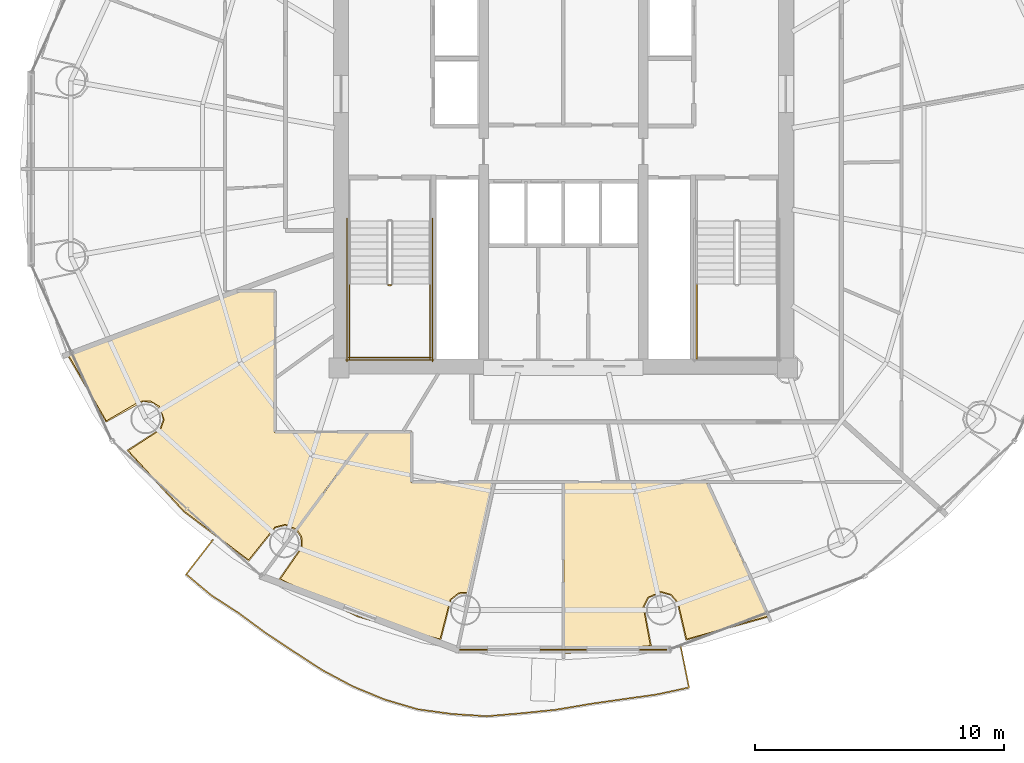
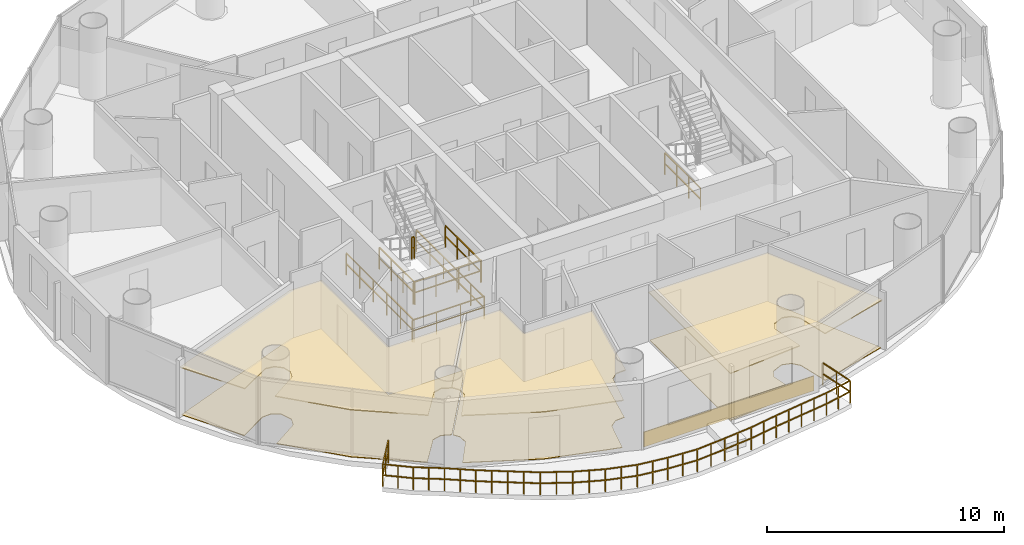
# One storey, part 24 of 26: 9 railings, 7 coverings.
"""IFC4 building model written with IfcOpenShell, lengths in metres."""

from ifc_helpers import new_model, si_unit, direction, frame, origin, origin_2d, place, context, subcontext, project, spatial, polyline, rectangle, outline, extrude, source, transform, mapped, material, layer, layer_set, type_object, element, save


model = new_model("IFC4")

# Units and contexts
model_context = context("Model", 3, precision=1e-05, world=origin(), true_north=direction((-0.2419218956, 0.970295726276)))
body_context = subcontext(model_context, "Body", "Model", "MODEL_VIEW")
ifc_project = project(units=[si_unit("LENGTHUNIT", "METRE"), si_unit("AREAUNIT", "SQUARE_METRE"), si_unit("VOLUMEUNIT", "CUBIC_METRE"), si_unit("PLANEANGLEUNIT", "RADIAN"), si_unit("MASSUNIT", "GRAM", prefix="KILO")], contexts=[model_context])

# Site, building, storey
site_placement = place(None, origin())
site = spatial("IfcSite", under=ifc_project, at=site_placement, CompositionType="ELEMENT")
building_placement = place(site_placement, origin())
building = spatial("IfcBuilding", under=site, at=building_placement, Name="Cobrevalo Terracotta Tower", CompositionType="ELEMENT")
storey_placement = place(building_placement, frame((0.0, 0.0, 206.0)))
storey = spatial("IfcBuildingStorey", under=building, at=storey_placement, Name="L54", CompositionType="ELEMENT", Elevation=206.0)

# Railing
ifc_material_1 = material(Name="Laminated structural glass and stainless steel", Category="steel")
railing_type_1 = type_object("IfcRailingType", Name="Balcony lobe structural glass & terracotta-cap balustrade 1180 mm", PredefinedType="BALUSTRADE", material=ifc_material_1)
railing_1_placement = place(storey_placement, frame((23.93603515625, 11.913818359375, 0.0)))
element("IfcRailing", 1, at=railing_1_placement, inside=storey, type_object=railing_type_1, Name="L54 spiralling balcony lobe balustrade 2", PredefinedType="BALUSTRADE", context=body_context, shape_type="SweptSolid", body=[
    extrude(rectangle(XDim=0.048095703125, YDim=0.048095703125, at=origin_2d()), frame((0.0, 0.0, 1.15576171875), z_axis=(-0.611161205852, -0.791506146825, 0.0), x_axis=(0.791506146825, -0.611161205852, 0.0)), (0.0, 0.0, 1.0), 1.747802734375),
    extrude(rectangle(XDim=0.048095703125, YDim=0.048095703125, at=origin_2d()), frame((0.0, 0.0, 0.58984375), z_axis=(-0.611161205852, -0.791506146825, 0.0), x_axis=(0.791506146825, -0.611161205852, 0.0)), (0.0, 0.0, 1.0), 1.747802734375),
    extrude(rectangle(XDim=0.048095703125, YDim=0.048095703125, at=origin_2d()), frame((-1.068115234375, -1.38330078125, 1.15576171875), z_axis=(0.766333984719, -0.64244238953, 0.0), x_axis=(0.64244238953, 0.766333984719, 0.0)), (0.0, 0.0, 1.0), 1.306396484375),
    extrude(rectangle(XDim=0.048095703125, YDim=0.048095703125, at=origin_2d()), frame((-1.068115234375, -1.38330078125, 0.58984375), z_axis=(0.766333984719, -0.64244238953, 0.0), x_axis=(0.64244238953, 0.766333984719, 0.0)), (0.0, 0.0, 1.0), 1.306396484375),
    extrude(rectangle(XDim=0.048095703125, YDim=0.048095703125, at=origin_2d()), frame((-0.06689453125, -2.22265625, 1.15576171875), z_axis=(0.839182701666, -0.543849605336, 0.0), x_axis=(0.543849605336, 0.839182701666, 0.0)), (0.0, 0.0, 1.0), 1.3193359375),
    extrude(rectangle(XDim=0.048095703125, YDim=0.048095703125, at=origin_2d()), frame((-0.06689453125, -2.22265625, 0.58984375), z_axis=(0.839182701666, -0.543849605336, 0.0), x_axis=(0.543849605336, 0.839182701666, 0.0)), (0.0, 0.0, 1.0), 1.3193359375),
    extrude(rectangle(XDim=0.048095703125, YDim=0.048095703125, at=origin_2d()), frame((1.040283203125, -2.940185546875, 1.15576171875), z_axis=(0.804659544021, -0.59373648887, 0.0), x_axis=(0.59373648887, 0.804659544021, 0.0)), (0.0, 0.0, 1.0), 1.332275390625),
    extrude(rectangle(XDim=0.048095703125, YDim=0.048095703125, at=origin_2d()), frame((1.040283203125, -2.940185546875, 0.58984375), z_axis=(0.804659544021, -0.59373648887, 0.0), x_axis=(0.59373648887, 0.804659544021, 0.0)), (0.0, 0.0, 1.0), 1.332275390625),
    extrude(rectangle(XDim=0.048095703125, YDim=0.048095703125, at=origin_2d()), frame((2.1123046875, -3.731201171875, 1.15576171875), z_axis=(0.833687442822, -0.552236586692, 0.0), x_axis=(0.552236586692, 0.833687442822, 0.0)), (0.0, 0.0, 1.0), 1.3505859375),
    extrude(rectangle(XDim=0.048095703125, YDim=0.048095703125, at=origin_2d()), frame((2.1123046875, -3.731201171875, 0.58984375), z_axis=(0.833687442822, -0.552236586692, 0.0), x_axis=(0.552236586692, 0.833687442822, 0.0)), (0.0, 0.0, 1.0), 1.3505859375),
    extrude(rectangle(XDim=0.048095703125, YDim=0.048095703125, at=origin_2d()), frame((3.23828125, -4.47705078125, 1.15576171875), z_axis=(0.838338048768, -0.54515072777, 0.0), x_axis=(0.54515072777, 0.838338048768, 0.0)), (0.0, 0.0, 1.0), 1.3740234375),
    extrude(rectangle(XDim=0.048095703125, YDim=0.048095703125, at=origin_2d()), frame((3.23828125, -4.47705078125, 0.58984375), z_axis=(0.838338048768, -0.54515072777, 0.0), x_axis=(0.54515072777, 0.838338048768, 0.0)), (0.0, 0.0, 1.0), 1.3740234375),
    extrude(rectangle(XDim=0.048095703125, YDim=0.048095703125, at=origin_2d()), frame((4.39013671875, -5.22607421875, 1.15576171875), z_axis=(0.881970946205, -0.471303776826, 0.0), x_axis=(0.471303776826, 0.881970946205, 0.0)), (0.0, 0.0, 1.0), 1.381103515625),
    extrude(rectangle(XDim=0.048095703125, YDim=0.048095703125, at=origin_2d()), frame((4.39013671875, -5.22607421875, 0.58984375), z_axis=(0.881970946205, -0.471303776826, 0.0), x_axis=(0.471303776826, 0.881970946205, 0.0)), (0.0, 0.0, 1.0), 1.381103515625),
    extrude(rectangle(XDim=0.048095703125, YDim=0.048095703125, at=origin_2d()), frame((5.608154296875, -5.876953125, 1.15576171875), z_axis=(0.924309962078, -0.381642626031, 0.0), x_axis=(0.381642626031, 0.924309962078, 0.0)), (0.0, 0.0, 1.0), 1.388916015625),
    extrude(rectangle(XDim=0.048095703125, YDim=0.048095703125, at=origin_2d()), frame((5.608154296875, -5.876953125, 0.58984375), z_axis=(0.924309962078, -0.381642626031, 0.0), x_axis=(0.381642626031, 0.924309962078, 0.0)), (0.0, 0.0, 1.0), 1.388916015625),
    extrude(rectangle(XDim=0.048095703125, YDim=0.048095703125, at=origin_2d()), frame((6.891845703125, -6.406982421875, 1.15576171875), z_axis=(0.959009017041, -0.283375555109, 0.0), x_axis=(0.283375555109, 0.959009017041, 0.0)), (0.0, 0.0, 1.0), 1.387939453125),
    extrude(rectangle(XDim=0.048095703125, YDim=0.048095703125, at=origin_2d()), frame((6.891845703125, -6.406982421875, 0.58984375), z_axis=(0.959009017041, -0.283375555109, 0.0), x_axis=(0.283375555109, 0.959009017041, 0.0)), (0.0, 0.0, 1.0), 1.387939453125),
    extrude(rectangle(XDim=0.048095703125, YDim=0.048095703125, at=origin_2d()), frame((8.222900390625, -6.80029296875, 1.15576171875), z_axis=(0.990738368651, -0.135784700472, 0.0), x_axis=(0.135784700472, 0.990738368651, 0.0)), (0.0, 0.0, 1.0), 1.395263671875),
    extrude(rectangle(XDim=0.048095703125, YDim=0.048095703125, at=origin_2d()), frame((8.222900390625, -6.80029296875, 0.58984375), z_axis=(0.990738368651, -0.135784700472, 0.0), x_axis=(0.135784700472, 0.990738368651, 0.0)), (0.0, 0.0, 1.0), 1.395263671875),
    extrude(rectangle(XDim=0.048095703125, YDim=0.048095703125, at=origin_2d()), frame((9.605224609375, -6.98974609375, 1.15576171875), z_axis=(0.998000310049, -0.063209027378, 0.0), x_axis=(0.063209027378, 0.998000310049, 0.0)), (0.0, 0.0, 1.0), 1.390380859375),
    extrude(rectangle(XDim=0.048095703125, YDim=0.048095703125, at=origin_2d()), frame((9.605224609375, -6.98974609375, 0.58984375), z_axis=(0.998000310049, -0.063209027378, 0.0), x_axis=(0.063209027378, 0.998000310049, 0.0)), (0.0, 0.0, 1.0), 1.390380859375),
    extrude(rectangle(XDim=0.048095703125, YDim=0.048095703125, at=origin_2d()), frame((10.992919921875, -7.07763671875, 1.15576171875), z_axis=(0.996425820583, 0.084472386468, 0.0), x_axis=(-0.084472386468, 0.996425820583, 0.0)), (0.0, 0.0, 1.0), 1.40185546875),
    extrude(rectangle(XDim=0.048095703125, YDim=0.048095703125, at=origin_2d()), frame((10.992919921875, -7.07763671875, 0.58984375), z_axis=(0.996425820583, 0.084472386468, 0.0), x_axis=(-0.084472386468, 0.996425820583, 0.0)), (0.0, 0.0, 1.0), 1.40185546875),
    extrude(rectangle(XDim=0.048095703125, YDim=0.048095703125, at=origin_2d()), frame((12.3896484375, -6.959228515625, 1.15576171875), z_axis=(0.994835961359, 0.10149586192, 0.0), x_axis=(-0.10149586192, 0.994835961359, 0.0)), (0.0, 0.0, 1.0), 1.383056640625),
    extrude(rectangle(XDim=0.048095703125, YDim=0.048095703125, at=origin_2d()), frame((12.3896484375, -6.959228515625, 0.58984375), z_axis=(0.994835961359, 0.10149586192, 0.0), x_axis=(-0.10149586192, 0.994835961359, 0.0)), (0.0, 0.0, 1.0), 1.383056640625),
    extrude(rectangle(XDim=0.048095703125, YDim=0.048095703125, at=origin_2d()), frame((13.765625, -6.81884765625, 1.15576171875), z_axis=(0.985855553018, 0.16759722129, 0.0), x_axis=(-0.16759722129, 0.985855553018, 0.0)), (0.0, 0.0, 1.0), 1.373779296875),
    extrude(rectangle(XDim=0.048095703125, YDim=0.048095703125, at=origin_2d()), frame((13.765625, -6.81884765625, 0.58984375), z_axis=(0.985855553018, 0.16759722129, 0.0), x_axis=(-0.16759722129, 0.985855553018, 0.0)), (0.0, 0.0, 1.0), 1.373779296875),
    extrude(rectangle(XDim=0.048095703125, YDim=0.048095703125, at=origin_2d()), frame((15.119873046875, -6.588623046875, 1.15576171875), z_axis=(0.989772202625, 0.142656885256, 0.0), x_axis=(-0.142656885256, 0.989772202625, 0.0)), (0.0, 0.0, 1.0), 1.35546875),
    extrude(rectangle(XDim=0.048095703125, YDim=0.048095703125, at=origin_2d()), frame((15.119873046875, -6.588623046875, 0.58984375), z_axis=(0.989772202625, 0.142656885256, 0.0), x_axis=(-0.142656885256, 0.989772202625, 0.0)), (0.0, 0.0, 1.0), 1.35546875),
    extrude(rectangle(XDim=0.048095703125, YDim=0.048095703125, at=origin_2d()), frame((16.46142578125, -6.395263671875, 1.15576171875), z_axis=(0.990323780612, 0.138776113057, 0.0), x_axis=(-0.138776113057, 0.990323780612, 0.0)), (0.0, 0.0, 1.0), 1.343994140625),
    extrude(rectangle(XDim=0.048095703125, YDim=0.048095703125, at=origin_2d()), frame((16.46142578125, -6.395263671875, 0.58984375), z_axis=(0.990323780612, 0.138776113057, 0.0), x_axis=(-0.138776113057, 0.990323780612, 0.0)), (0.0, 0.0, 1.0), 1.343994140625),
    extrude(rectangle(XDim=0.048095703125, YDim=0.048095703125, at=origin_2d()), frame((17.79248046875, -6.208740234375, 1.15576171875), z_axis=(0.97769326557, 0.210037802453, 0.0), x_axis=(-0.210037802453, 0.97769326557, 0.0)), (0.0, 0.0, 1.0), 1.34375),
    extrude(rectangle(XDim=0.048095703125, YDim=0.048095703125, at=origin_2d()), frame((17.79248046875, -6.208740234375, 0.58984375), z_axis=(0.97769326557, 0.210037802453, 0.0), x_axis=(-0.210037802453, 0.97769326557, 0.0)), (0.0, 0.0, 1.0), 1.34375),
    extrude(rectangle(XDim=0.048095703125, YDim=0.048095703125, at=origin_2d()), frame((19.106201171875, -5.926513671875, 1.15576171875), z_axis=(-0.197141400655, 0.980375065038, 0.0), x_axis=(-0.980375065038, -0.197141400655, 0.0)), (0.0, 0.0, 1.0), 1.739990234375),
    extrude(rectangle(XDim=0.048095703125, YDim=0.048095703125, at=origin_2d()), frame((19.106201171875, -5.926513671875, 0.58984375), z_axis=(-0.197141400655, 0.980375065038, 0.0), x_axis=(-0.980375065038, -0.197141400655, 0.0)), (0.0, 0.0, 1.0), 1.739990234375),
    extrude(rectangle(XDim=0.0419921875, YDim=0.0419921875, at=origin_2d()), origin(), (0.0, 0.0, 1.0), 1.1318359375),
    extrude(rectangle(XDim=0.0419921875, YDim=0.0419921875, at=origin_2d()), frame((-0.5341796875, -0.691650390625, 0.0)), (0.0, 0.0, 1.0), 1.1318359375),
    extrude(rectangle(XDim=0.0419921875, YDim=0.0419921875, at=origin_2d()), frame((-1.068115234375, -1.38330078125, 0.0)), (0.0, 0.0, 1.0), 1.1318359375),
    extrude(rectangle(XDim=0.0419921875, YDim=0.0419921875, at=origin_2d()), frame((-0.5673828125, -1.802978515625, 0.0)), (0.0, 0.0, 1.0), 1.1318359375),
    extrude(rectangle(XDim=0.0419921875, YDim=0.0419921875, at=origin_2d()), frame((-0.06689453125, -2.22265625, 0.0)), (0.0, 0.0, 1.0), 1.1318359375),
    extrude(rectangle(XDim=0.0419921875, YDim=0.0419921875, at=origin_2d()), frame((0.48681640625, -2.58154296875, 0.0)), (0.0, 0.0, 1.0), 1.1318359375),
    extrude(rectangle(XDim=0.0419921875, YDim=0.0419921875, at=origin_2d()), frame((1.040283203125, -2.940185546875, 0.0)), (0.0, 0.0, 1.0), 1.1318359375),
    extrude(rectangle(XDim=0.0419921875, YDim=0.0419921875, at=origin_2d()), frame((1.576171875, -3.335693359375, 0.0)), (0.0, 0.0, 1.0), 1.1318359375),
    extrude(rectangle(XDim=0.0419921875, YDim=0.0419921875, at=origin_2d()), frame((2.1123046875, -3.731201171875, 0.0)), (0.0, 0.0, 1.0), 1.1318359375),
    extrude(rectangle(XDim=0.0419921875, YDim=0.0419921875, at=origin_2d()), frame((2.67529296875, -4.10400390625, 0.0)), (0.0, 0.0, 1.0), 1.1318359375),
    extrude(rectangle(XDim=0.0419921875, YDim=0.0419921875, at=origin_2d()), frame((3.23828125, -4.47705078125, 0.0)), (0.0, 0.0, 1.0), 1.1318359375),
    extrude(rectangle(XDim=0.0419921875, YDim=0.0419921875, at=origin_2d()), frame((3.814208984375, -4.8515625, 0.0)), (0.0, 0.0, 1.0), 1.1318359375),
    extrude(rectangle(XDim=0.0419921875, YDim=0.0419921875, at=origin_2d()), frame((4.39013671875, -5.22607421875, 0.0)), (0.0, 0.0, 1.0), 1.1318359375),
    extrude(rectangle(XDim=0.0419921875, YDim=0.0419921875, at=origin_2d()), frame((4.9990234375, -5.551513671875, 0.0)), (0.0, 0.0, 1.0), 1.1318359375),
    extrude(rectangle(XDim=0.0419921875, YDim=0.0419921875, at=origin_2d()), frame((5.608154296875, -5.876953125, 0.0)), (0.0, 0.0, 1.0), 1.1318359375),
    extrude(rectangle(XDim=0.0419921875, YDim=0.0419921875, at=origin_2d()), frame((6.25, -6.14208984375, 0.0)), (0.0, 0.0, 1.0), 1.1318359375),
    extrude(rectangle(XDim=0.0419921875, YDim=0.0419921875, at=origin_2d()), frame((6.891845703125, -6.406982421875, 0.0)), (0.0, 0.0, 1.0), 1.1318359375),
    extrude(rectangle(XDim=0.0419921875, YDim=0.0419921875, at=origin_2d()), frame((7.557373046875, -6.603515625, 0.0)), (0.0, 0.0, 1.0), 1.1318359375),
    extrude(rectangle(XDim=0.0419921875, YDim=0.0419921875, at=origin_2d()), frame((8.222900390625, -6.80029296875, 0.0)), (0.0, 0.0, 1.0), 1.1318359375),
    extrude(rectangle(XDim=0.0419921875, YDim=0.0419921875, at=origin_2d()), frame((8.9140625, -6.89501953125, 0.0)), (0.0, 0.0, 1.0), 1.1318359375),
    extrude(rectangle(XDim=0.0419921875, YDim=0.0419921875, at=origin_2d()), frame((9.605224609375, -6.98974609375, 0.0)), (0.0, 0.0, 1.0), 1.1318359375),
    extrude(rectangle(XDim=0.0419921875, YDim=0.0419921875, at=origin_2d()), frame((10.299072265625, -7.03369140625, 0.0)), (0.0, 0.0, 1.0), 1.1318359375),
    extrude(rectangle(XDim=0.0419921875, YDim=0.0419921875, at=origin_2d()), frame((10.992919921875, -7.07763671875, 0.0)), (0.0, 0.0, 1.0), 1.1318359375),
    extrude(rectangle(XDim=0.0419921875, YDim=0.0419921875, at=origin_2d()), frame((11.69140625, -7.0185546875, 0.0)), (0.0, 0.0, 1.0), 1.1318359375),
    extrude(rectangle(XDim=0.0419921875, YDim=0.0419921875, at=origin_2d()), frame((12.3896484375, -6.959228515625, 0.0)), (0.0, 0.0, 1.0), 1.1318359375),
    extrude(rectangle(XDim=0.0419921875, YDim=0.0419921875, at=origin_2d()), frame((13.07763671875, -6.88916015625, 0.0)), (0.0, 0.0, 1.0), 1.1318359375),
    extrude(rectangle(XDim=0.0419921875, YDim=0.0419921875, at=origin_2d()), frame((13.765625, -6.81884765625, 0.0)), (0.0, 0.0, 1.0), 1.1318359375),
    extrude(rectangle(XDim=0.0419921875, YDim=0.0419921875, at=origin_2d()), frame((14.44287109375, -6.70361328125, 0.0)), (0.0, 0.0, 1.0), 1.1318359375),
    extrude(rectangle(XDim=0.0419921875, YDim=0.0419921875, at=origin_2d()), frame((15.119873046875, -6.588623046875, 0.0)), (0.0, 0.0, 1.0), 1.1318359375),
    extrude(rectangle(XDim=0.0419921875, YDim=0.0419921875, at=origin_2d()), frame((15.79052734375, -6.491943359375, 0.0)), (0.0, 0.0, 1.0), 1.1318359375),
    extrude(rectangle(XDim=0.0419921875, YDim=0.0419921875, at=origin_2d()), frame((16.46142578125, -6.395263671875, 0.0)), (0.0, 0.0, 1.0), 1.1318359375),
    extrude(rectangle(XDim=0.0419921875, YDim=0.0419921875, at=origin_2d()), frame((17.126953125, -6.302001953125, 0.0)), (0.0, 0.0, 1.0), 1.1318359375),
    extrude(rectangle(XDim=0.0419921875, YDim=0.0419921875, at=origin_2d()), frame((17.79248046875, -6.208740234375, 0.0)), (0.0, 0.0, 1.0), 1.1318359375),
    extrude(rectangle(XDim=0.0419921875, YDim=0.0419921875, at=origin_2d()), frame((18.44921875, -6.067626953125, 0.0)), (0.0, 0.0, 1.0), 1.1318359375),
    extrude(rectangle(XDim=0.0419921875, YDim=0.0419921875, at=origin_2d()), frame((19.106201171875, -5.926513671875, 0.0)), (0.0, 0.0, 1.0), 1.1318359375),
    extrude(rectangle(XDim=0.0419921875, YDim=0.0419921875, at=origin_2d()), frame((18.9345703125, -5.07373046875, 0.0)), (0.0, 0.0, 1.0), 1.1318359375),
    extrude(rectangle(XDim=0.0419921875, YDim=0.0419921875, at=origin_2d()), frame((18.76318359375, -4.220703125, 0.0)), (0.0, 0.0, 1.0), 1.1318359375),
])

# Coverings
ifc_material_2 = material(Name="Engineered Brazilian hardwood flooring", Category="wood")
ifc_layer_1 = layer(ifc_material_2, 0.028076171875)
ifc_layer_set_1 = layer_set([ifc_layer_1], Name="Engineered Brazilian hardwood flooring")
covering_type_1 = type_object("IfcCoveringType", Name="Engineered Hardwood Suite Flooring 28", PredefinedType="FLOORING", material=ifc_layer_set_1)
covering_1_placement = place(storey_placement, origin())
element("IfcCovering", 2, at=covering_1_placement, inside=storey, type_object=covering_type_1, Name="Flat L54B Living and Dining Room floor finish", PredefinedType="FLOORING", context=body_context, shape_type="SweptSolid", body=[
    extrude(outline(polyline([(22.782470703125, 13.068603515625), (20.546875, 15.4912109375), (21.840087890625, 16.330810546875), (21.985107421875, 16.735107421875), (21.794677734375, 17.2685546875), (21.42626953125, 17.48974609375), (20.9970703125, 17.468994140625), (19.662109375, 16.6865234375), (18.132568359375, 19.342041015625), (24.912841796875, 21.8798828125), (26.4150390625, 21.8798828125), (26.4150390625, 16.215087890625), (30.1484375, 16.215087890625), (27.2890625, 12.34765625), (26.843505859375, 12.531005859375), (26.426513671875, 12.427734375), (25.3720703125, 11.108154296875), (22.782470703125, 13.068603515625)])), origin(), (0.0, 0.0, 1.0), 0.030029296875),
])
covering_2_placement = place(storey_placement, origin())
element("IfcCovering", 3, at=covering_2_placement, inside=storey, type_object=covering_type_1, Name="Flat L54B Master Bedroom floor finish", PredefinedType="FLOORING", context=body_context, shape_type="SweptSolid", body=[
    extrude(outline(polyline([(29.763916015625, 8.858642578125), (26.6455078125, 10.34033203125), (27.522705078125, 11.610107421875), (27.502685546875, 12.039306640625), (27.318603515625, 12.320556640625), (30.1982421875, 16.215087890625), (31.8798828125, 16.215087890625), (31.8798828125, 14.205078125), (35.207275390625, 14.205078125), (34.240234375, 9.812255859375), (33.801025390625, 9.78662109375), (33.462890625, 9.521484375), (33.0517578125, 7.93017578125), (29.763916015625, 8.858642578125)])), origin(), (0.0, 0.0, 1.0), 0.030029296875),
])
covering_3_placement = place(storey_placement, origin())
element("IfcCovering", 4, at=covering_3_placement, inside=storey, type_object=covering_type_1, Name="Flat L54B Principal Guest Bedroom floor finish", PredefinedType="FLOORING", context=body_context, shape_type="SweptSolid", body=[
    extrude(outline(polyline([(42.9482421875, 7.93017578125), (42.6083984375, 9.39501953125), (42.32861328125, 9.72119140625), (41.91455078125, 9.836669921875), (41.396240234375, 9.6083984375), (41.2021484375, 9.22509765625), (41.490234375, 7.66845703125), (38.02001953125, 7.381103515625), (38.02001953125, 14.205078125), (43.751220703125, 14.205078125), (46.2060546875, 8.849365234375), (42.9482421875, 7.93017578125)])), origin(), (0.0, 0.0, 1.0), 0.030029296875),
])
ifc_material_3 = material(Name="Acoustic perforated gypsum ceiling", Category="gypsum")
ifc_layer_2 = layer(ifc_material_3, 0.050048828125)
ifc_layer_set_2 = layer_set([ifc_layer_2], Name="Acoustic perforated gypsum ceiling")
covering_type_2 = type_object("IfcCoveringType", Name="Perforated Acoustic Gypsum Ceiling 50", PredefinedType="CEILING", material=ifc_layer_set_2)
covering_4_placement = place(storey_placement, frame((0.0, 0.0, 2.445068359375)))
element("IfcCovering", 5, at=covering_4_placement, inside=storey, type_object=covering_type_2, Name="Flat L54B Living and Dining Room acoustic ceiling", PredefinedType="CEILING", context=body_context, shape_type="SweptSolid", body=[
    extrude(outline(polyline([(22.752197265625, 13.03515625), (20.481201171875, 15.50439453125), (21.8037109375, 16.357666015625), (21.93994140625, 16.737548828125), (21.842041015625, 17.12890625), (21.54345703125, 17.39990234375), (21.144287109375, 17.45947265625), (19.650146484375, 16.626953125), (18.068115234375, 19.365966796875), (24.90478515625, 21.925048828125), (26.4599609375, 21.925048828125), (26.4599609375, 16.260009765625), (30.23779296875, 16.260009765625), (27.29541015625, 12.28076171875), (26.84130859375, 12.48583984375), (26.44970703125, 12.388916015625), (25.3837890625, 11.048583984375), (22.752197265625, 13.03515625)])), origin(), (0.0, 0.0, 1.0), 0.050048828125),
])
covering_5_placement = place(storey_placement, frame((0.0, 0.0, 2.445068359375)))
element("IfcCovering", 6, at=covering_5_placement, inside=storey, type_object=covering_type_2, Name="Flat L54B Master Bedroom acoustic ceiling", PredefinedType="CEILING", context=body_context, shape_type="SweptSolid", body=[
    extrude(outline(polyline([(29.748291015625, 8.81640625), (26.579833984375, 10.327392578125), (27.478759765625, 11.621337890625), (27.460205078125, 12.024169921875), (27.25830078125, 12.314697265625), (30.175537109375, 16.260009765625), (31.925048828125, 16.260009765625), (31.925048828125, 14.25), (35.26318359375, 14.25), (34.275146484375, 9.76123046875), (33.8173828125, 9.74462890625), (33.499755859375, 9.49560546875), (33.08642578125, 7.878173828125), (29.748291015625, 8.81640625)])), origin(), (0.0, 0.0, 1.0), 0.050048828125),
])
covering_6_placement = place(storey_placement, frame((0.0, 0.0, 2.445068359375)))
element("IfcCovering", 7, at=covering_6_placement, inside=storey, type_object=covering_type_2, Name="Flat L54B Principal Guest Bedroom acoustic ceiling", PredefinedType="CEILING", context=body_context, shape_type="SweptSolid", body=[
    extrude(outline(polyline([(42.91357421875, 7.878173828125), (42.56689453125, 9.376953125), (42.30419921875, 9.68310546875), (41.915771484375, 9.79150390625), (41.428955078125, 9.5771484375), (41.246826171875, 9.21728515625), (41.544189453125, 7.632568359375), (37.97509765625, 7.33349609375), (37.97509765625, 14.25), (43.780029296875, 14.25), (46.268310546875, 8.8212890625), (42.91357421875, 7.878173828125)])), origin(), (0.0, 0.0, 1.0), 0.050048828125),
])

# Railings
ifc_material_4 = material(Name="Painted galvanized steel", Category="steel")
railing_type_2 = type_object("IfcRailingType", Name="Stair Well Guard Balustrade 1150", PredefinedType="GUARDRAIL", material=ifc_material_4)
railing_2_placement = place(storey_placement, frame((30.97509765625, 22.1298828125, 1.85009765625)))
element("IfcRailing", 8, at=railing_2_placement, inside=storey, type_object=railing_type_2, Name="L54 ST-1 stair guard 2", PredefinedType="GUARDRAIL", context=body_context, shape_type="SweptSolid", body=[
    extrude(rectangle(XDim=0.048095703125, YDim=0.048095703125, at=origin_2d()), frame((0.0, 0.0, 1.1259765625), z_axis=(1.0, 0.0, 0.0), x_axis=(0.0, 1.0, 0.0)), (0.0, 0.0, 1.0), 0.119873046875),
    extrude(rectangle(XDim=0.048095703125, YDim=0.048095703125, at=origin_2d()), frame((0.0, 0.0, 0.574951171875), z_axis=(1.0, 0.0, 0.0), x_axis=(0.0, 1.0, 0.0)), (0.0, 0.0, 1.0), 0.119873046875),
    extrude(rectangle(XDim=0.0419921875, YDim=0.0419921875, at=origin_2d()), origin(), (0.0, 0.0, 1.0), 1.101806640625),
    extrude(rectangle(XDim=0.0419921875, YDim=0.0419921875, at=origin_2d()), frame((0.119873046875, 0.0, 0.0)), (0.0, 0.0, 1.0), 1.101806640625),
])
for number, where, name in (
    (9, (29.425048828125, 22.179931640625, 1.85009765625), "L54 ST-1 stair guard 3"),
    (10, (32.64501953125, 22.179931640625, 1.85009765625), "L54 ST-1 stair guard 4"),
):
    element("IfcRailing", number, at=place(storey_placement, frame(where)), inside=storey, type_object=railing_type_2, Name=name, PredefinedType="GUARDRAIL", context=body_context, shape_type="SweptSolid", body=[
        extrude(rectangle(XDim=0.048095703125, YDim=0.048095703125, at=origin_2d()), frame((0.0, 0.0, 1.1259765625), z_axis=(0.0, -1.0, 0.0), x_axis=(1.0, 0.0, 0.0)), (0.0, 0.0, 1.0), 3.0048828125),
        extrude(rectangle(XDim=0.048095703125, YDim=0.048095703125, at=origin_2d()), frame((0.0, 0.0, 0.574951171875), z_axis=(0.0, -1.0, 0.0), x_axis=(1.0, 0.0, 0.0)), (0.0, 0.0, 1.0), 3.0048828125),
        extrude(rectangle(XDim=0.0419921875, YDim=0.0419921875, at=origin_2d()), origin(), (0.0, 0.0, 1.0), 1.101806640625),
        extrude(rectangle(XDim=0.0419921875, YDim=0.0419921875, at=origin_2d()), frame((0.0, -1.001708984375, 0.0)), (0.0, 0.0, 1.0), 1.101806640625),
        extrude(rectangle(XDim=0.0419921875, YDim=0.0419921875, at=origin_2d()), frame((0.0, -2.003173828125, 0.0)), (0.0, 0.0, 1.0), 1.101806640625),
        extrude(rectangle(XDim=0.0419921875, YDim=0.0419921875, at=origin_2d()), frame((0.0, -3.0048828125, 0.0)), (0.0, 0.0, 1.0), 1.101806640625),
    ])
railing_3_placement = place(storey_placement, frame((29.375, 19.22509765625, 1.85009765625)))
element("IfcRailing", 11, at=railing_3_placement, inside=storey, type_object=railing_type_2, Name="L54 ST-1 stair guard 5", PredefinedType="GUARDRAIL", context=body_context, shape_type="SweptSolid", body=[
    extrude(rectangle(XDim=0.048095703125, YDim=0.048095703125, at=origin_2d()), frame((0.0, 0.0, 1.1259765625), z_axis=(1.0, 0.0, 0.0), x_axis=(0.0, 1.0, 0.0)), (0.0, 0.0, 1.0), 3.320068359375),
    extrude(rectangle(XDim=0.048095703125, YDim=0.048095703125, at=origin_2d()), frame((0.0, 0.0, 0.574951171875), z_axis=(1.0, 0.0, 0.0), x_axis=(0.0, 1.0, 0.0)), (0.0, 0.0, 1.0), 3.320068359375),
    extrude(rectangle(XDim=0.0419921875, YDim=0.0419921875, at=origin_2d()), origin(), (0.0, 0.0, 1.0), 1.101806640625),
    extrude(rectangle(XDim=0.0419921875, YDim=0.0419921875, at=origin_2d()), frame((1.106689453125, 0.0, 0.0)), (0.0, 0.0, 1.0), 1.101806640625),
    extrude(rectangle(XDim=0.0419921875, YDim=0.0419921875, at=origin_2d()), frame((2.21337890625, 0.0, 0.0)), (0.0, 0.0, 1.0), 1.101806640625),
    extrude(rectangle(XDim=0.0419921875, YDim=0.0419921875, at=origin_2d()), frame((3.320068359375, 0.0, 0.0)), (0.0, 0.0, 1.0), 1.101806640625),
])
for number, where, name in (
    (12, (29.324951171875, 24.800048828125, 0.0), "L54 ST-1 stair guard 10"),
    (13, (32.7451171875, 24.800048828125, 0.0), "L54 ST-1 stair guard 11"),
):
    element("IfcRailing", number, at=place(storey_placement, frame(where)), inside=storey, type_object=railing_type_2, Name=name, PredefinedType="GUARDRAIL", context=body_context, shape_type="SweptSolid", body=[
        extrude(rectangle(XDim=0.048095703125, YDim=0.048095703125, at=origin_2d()), frame((0.0, 0.0, 1.1259765625), z_axis=(0.0, -1.0, 0.0), x_axis=(1.0, 0.0, 0.0)), (0.0, 0.0, 1.0), 5.72509765625),
        extrude(rectangle(XDim=0.048095703125, YDim=0.048095703125, at=origin_2d()), frame((0.0, 0.0, 0.574951171875), z_axis=(0.0, -1.0, 0.0), x_axis=(1.0, 0.0, 0.0)), (0.0, 0.0, 1.0), 5.72509765625),
        extrude(rectangle(XDim=0.0419921875, YDim=0.0419921875, at=origin_2d()), origin(), (0.0, 0.0, 1.0), 1.101806640625),
        extrude(rectangle(XDim=0.0419921875, YDim=0.0419921875, at=origin_2d()), frame((0.0, -1.14501953125, 0.0)), (0.0, 0.0, 1.0), 1.101806640625),
        extrude(rectangle(XDim=0.0419921875, YDim=0.0419921875, at=origin_2d()), frame((0.0, -2.2900390625, 0.0)), (0.0, 0.0, 1.0), 1.101806640625),
        extrude(rectangle(XDim=0.0419921875, YDim=0.0419921875, at=origin_2d()), frame((0.0, -3.43505859375, 0.0)), (0.0, 0.0, 1.0), 1.101806640625),
        extrude(rectangle(XDim=0.0419921875, YDim=0.0419921875, at=origin_2d()), frame((0.0, -4.580078125, 0.0)), (0.0, 0.0, 1.0), 1.101806640625),
        extrude(rectangle(XDim=0.0419921875, YDim=0.0419921875, at=origin_2d()), frame((0.0, -5.72509765625, 0.0)), (0.0, 0.0, 1.0), 1.101806640625),
    ])
railing_4_placement = place(storey_placement, frame((29.27490234375, 19.125, 0.0)))
element("IfcRailing", 14, at=railing_4_placement, inside=storey, type_object=railing_type_2, Name="L54 ST-1 stair guard 12", PredefinedType="GUARDRAIL", context=body_context, shape_type="SweptSolid", body=[
    extrude(rectangle(XDim=0.048095703125, YDim=0.048095703125, at=origin_2d()), frame((0.0, 0.0, 1.1259765625), z_axis=(1.0, 0.0, 0.0), x_axis=(0.0, 1.0, 0.0)), (0.0, 0.0, 1.0), 3.52001953125),
    extrude(rectangle(XDim=0.048095703125, YDim=0.048095703125, at=origin_2d()), frame((0.0, 0.0, 0.574951171875), z_axis=(1.0, 0.0, 0.0), x_axis=(0.0, 1.0, 0.0)), (0.0, 0.0, 1.0), 3.52001953125),
    extrude(rectangle(XDim=0.0419921875, YDim=0.0419921875, at=origin_2d()), origin(), (0.0, 0.0, 1.0), 1.101806640625),
    extrude(rectangle(XDim=0.0419921875, YDim=0.0419921875, at=origin_2d()), frame((1.17333984375, 0.0, 0.0)), (0.0, 0.0, 1.0), 1.101806640625),
    extrude(rectangle(XDim=0.0419921875, YDim=0.0419921875, at=origin_2d()), frame((2.3466796875, 0.0, 0.0)), (0.0, 0.0, 1.0), 1.101806640625),
    extrude(rectangle(XDim=0.0419921875, YDim=0.0419921875, at=origin_2d()), frame((3.52001953125, 0.0, 0.0)), (0.0, 0.0, 1.0), 1.101806640625),
])
railing_5_placement = place(storey_placement, frame((43.35498046875, 22.179931640625, 1.85009765625)))
element("IfcRailing", 15, at=railing_5_placement, inside=storey, type_object=railing_type_2, Name="L54 ST-2 stair guard 3", PredefinedType="GUARDRAIL", context=body_context, shape_type="SweptSolid", body=[
    extrude(rectangle(XDim=0.048095703125, YDim=0.048095703125, at=origin_2d()), frame((0.0, 0.0, 1.1259765625), z_axis=(0.0, -1.0, 0.0), x_axis=(1.0, 0.0, 0.0)), (0.0, 0.0, 1.0), 3.0048828125),
    extrude(rectangle(XDim=0.048095703125, YDim=0.048095703125, at=origin_2d()), frame((0.0, 0.0, 0.574951171875), z_axis=(0.0, -1.0, 0.0), x_axis=(1.0, 0.0, 0.0)), (0.0, 0.0, 1.0), 3.0048828125),
    extrude(rectangle(XDim=0.0419921875, YDim=0.0419921875, at=origin_2d()), origin(), (0.0, 0.0, 1.0), 1.101806640625),
    extrude(rectangle(XDim=0.0419921875, YDim=0.0419921875, at=origin_2d()), frame((0.0, -1.001708984375, 0.0)), (0.0, 0.0, 1.0), 1.101806640625),
    extrude(rectangle(XDim=0.0419921875, YDim=0.0419921875, at=origin_2d()), frame((0.0, -2.003173828125, 0.0)), (0.0, 0.0, 1.0), 1.101806640625),
    extrude(rectangle(XDim=0.0419921875, YDim=0.0419921875, at=origin_2d()), frame((0.0, -3.0048828125, 0.0)), (0.0, 0.0, 1.0), 1.101806640625),
])

# Covering
ifc_material_5 = material(Name="Glazed terracotta facade cladding tile", Category="masonry")
ifc_layer_3 = layer(ifc_material_5, 0.044921875)
ifc_layer_set_3 = layer_set([ifc_layer_3], Name="Glazed terracotta facade cladding tile")
covering_type_3 = type_object("IfcCoveringType", Name="Architectural terracotta rainscreen spandrel cladding 45 mm", PredefinedType="CLADDING", material=ifc_layer_set_3)
shared_shape = source(origin(), body_context, "Body", "SweptSolid", [
    extrude(rectangle(XDim=8.294189453125, YDim=0.044921875, at=origin_2d()), origin(), (0.0, 0.0, 1.0), 0.760009765625),
])
covering_7_placement = place(storey_placement, frame((38.0, 7.508056640625, 0.0400390625), z_axis=(0.0, 0.0, 1.0), x_axis=(1.0, 0.0, 0.0)))
element("IfcCovering", 16, at=covering_7_placement, inside=storey, type_object=covering_type_3, Name="L54 terracotta spandrel cladding S12", PredefinedType="CLADDING", context=body_context, shape_type="MappedRepresentation", body=[
    mapped(shared_shape, transform((0.0, 0.0, 0.0), scale=1.0)),
])

save(model, "model.ifc")
